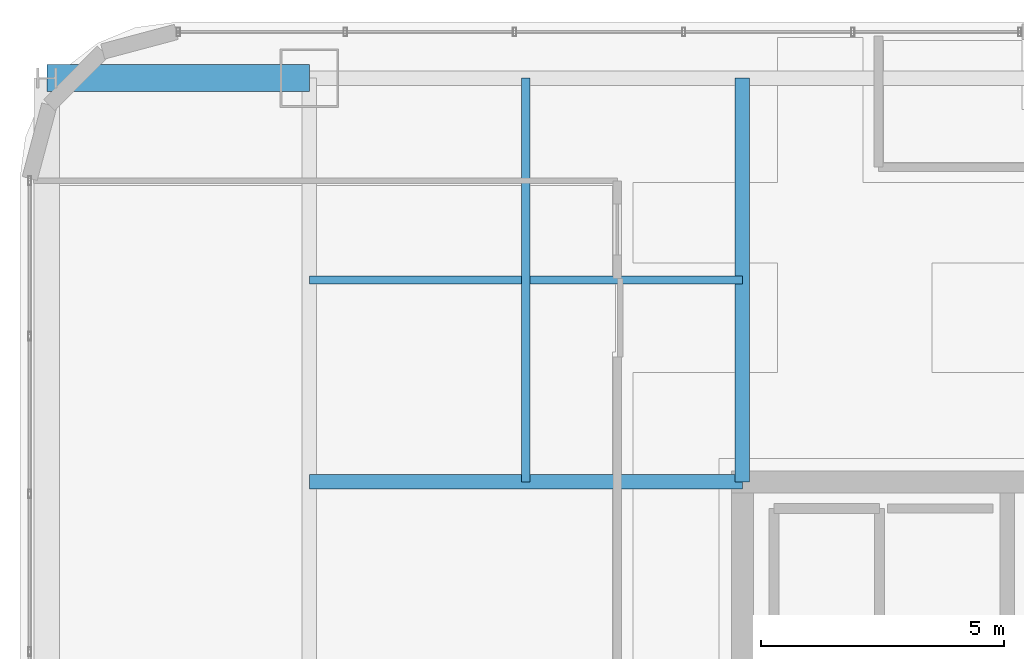
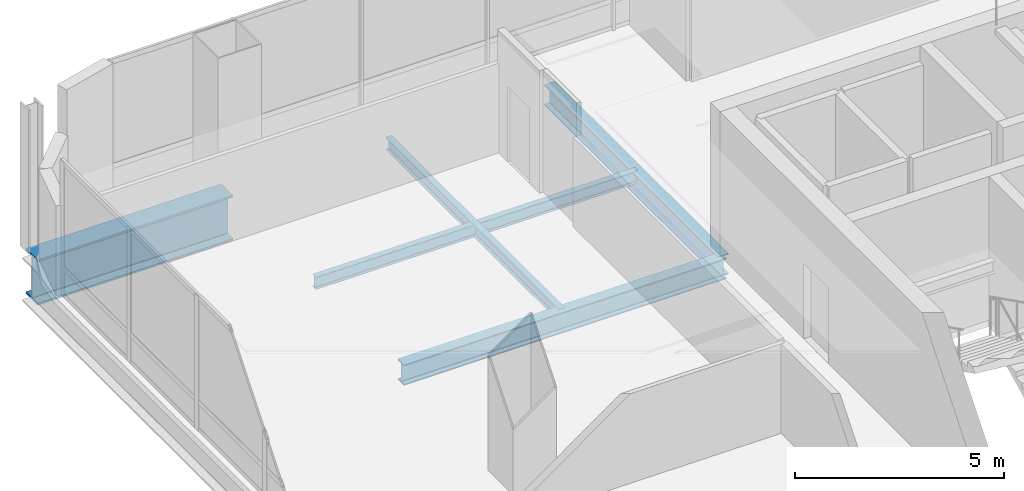
# One storey, part 25 of 46: 5 beams.
"""IFC4 building model written with IfcOpenShell, lengths in metres."""

from ifc_helpers import new_model, si_unit, direction, frame, origin, origin_2d, place, context, subcontext, project, spatial, i_section, extrude, material, material_profile, profile_set, type_object, element, save


model = new_model("IFC4")

# Units and contexts
model_context = context("Model", 3, precision=1e-05, world=origin(), true_north=direction((0.0, 1.0)))
body_context = subcontext(model_context, "Body", "Model", "MODEL_VIEW")
ifc_project = project(units=[si_unit("LENGTHUNIT", "METRE"), si_unit("AREAUNIT", "SQUARE_METRE"), si_unit("VOLUMEUNIT", "CUBIC_METRE"), si_unit("PLANEANGLEUNIT", "RADIAN"), si_unit("MASSUNIT", "GRAM", prefix="KILO")], contexts=[model_context])

# Site, building, storey
site_placement = place(None, origin())
site = spatial("IfcSite", under=ifc_project, at=site_placement, CompositionType="ELEMENT")
building_placement = place(site_placement, origin())
building = spatial("IfcBuilding", under=site, at=building_placement, Name="Punatoya Terracotta Tower", CompositionType="ELEMENT")
storey_placement = place(building_placement, frame((0.0, 0.0, 330.0)))
storey = spatial("IfcBuildingStorey", under=building, at=storey_placement, Name="L78", CompositionType="ELEMENT", Elevation=330.0)

# Beams
ifc_material_1 = material(Name="Steel S355", Category="steel")
ifc_material_profile_1 = material_profile(ifc_material_1, i_section(OverallWidth=0.300048828125, OverallDepth=0.60009765625, WebThickness=0.015380859375, FlangeThickness=0.030029296875, FilletRadius=0.01806640625, at=origin_2d()))
ifc_profile_set_1 = profile_set([ifc_material_profile_1], Name="Steel S355")
beam_type_1 = type_object("IfcBeamType", Name="BM-PRI-600", PredefinedType="BEAM", material=ifc_profile_set_1)
beam_1_placement = place(storey_placement, frame((-19.10009765625, 9.199951171875, -0.5), z_axis=(1.0, 0.0, 0.0), x_axis=(0.0, 1.0, 0.0)))
element("IfcBeam", 1, at=beam_1_placement, inside=storey, type_object=beam_type_1, Name="BM-L78-PR-WN", PredefinedType="BEAM", context=body_context, shape_type="SweptSolid", body=[
    extrude(i_section(OverallWidth=0.300048828125, OverallDepth=0.60009765625, WebThickness=0.015380859375, FlangeThickness=0.030029296875, FilletRadius=0.01806640625, at=origin_2d()), origin(), (0.0, 0.0, 1.0), 8.900146484375),
])
beam_2_placement = place(storey_placement, frame((-10.199951171875, 9.199951171875, -0.5), z_axis=(0.0, 1.0, 0.0), x_axis=(-1.0, 0.0, 0.0)))
element("IfcBeam", 2, at=beam_2_placement, inside=storey, type_object=beam_type_1, Name="BM-L78-PR-N1", PredefinedType="BEAM", context=body_context, shape_type="SweptSolid", body=[
    extrude(i_section(OverallWidth=0.300048828125, OverallDepth=0.60009765625, WebThickness=0.015380859375, FlangeThickness=0.030029296875, FilletRadius=0.01806640625, at=origin_2d()), origin(), (0.0, 0.0, 1.0), 8.300048828125),
])
ifc_material_profile_2 = material_profile(ifc_material_1, i_section(OverallWidth=0.169921875, OverallDepth=0.360107421875, WebThickness=0.008056640625, FlangeThickness=0.0126953125, FilletRadius=0.01806640625, at=origin_2d()))
ifc_profile_set_2 = profile_set([ifc_material_profile_2], Name="Steel S355")
beam_type_2 = type_object("IfcBeamType", Name="BM-SEC-360", PredefinedType="JOIST", material=ifc_profile_set_2)
beam_3_placement = place(storey_placement, frame((-19.10009765625, 13.35009765625, -0.3798828125), z_axis=(1.0, 0.0, 0.0), x_axis=(0.0, 1.0, 0.0)))
element("IfcBeam", 3, at=beam_3_placement, inside=storey, type_object=beam_type_2, Name="BM-L78-SJN-1", PredefinedType="JOIST", context=body_context, shape_type="SweptSolid", body=[
    extrude(i_section(OverallWidth=0.169921875, OverallDepth=0.360107421875, WebThickness=0.008056640625, FlangeThickness=0.0126953125, FilletRadius=0.01806640625, at=origin_2d()), origin(), (0.0, 0.0, 1.0), 8.900146484375),
])
beam_4_placement = place(storey_placement, frame((-14.64990234375, 9.199951171875, -0.3798828125), z_axis=(0.0, 1.0, 0.0), x_axis=(-1.0, 0.0, 0.0)))
element("IfcBeam", 4, at=beam_4_placement, inside=storey, type_object=beam_type_2, Name="BM-L78-SJW-2", PredefinedType="JOIST", context=body_context, shape_type="SweptSolid", body=[
    extrude(i_section(OverallWidth=0.169921875, OverallDepth=0.360107421875, WebThickness=0.008056640625, FlangeThickness=0.0126953125, FilletRadius=0.01806640625, at=origin_2d()), origin(), (0.0, 0.0, 1.0), 8.300048828125),
])
ifc_material_2 = material(Name="Steel S460", Category="steel")
ifc_material_profile_3 = material_profile(ifc_material_2, i_section(OverallWidth=0.56005859375, OverallDepth=1.320068359375, WebThickness=0.035888671875, FlangeThickness=0.054931640625, FilletRadius=0.01806640625, at=origin_2d()))
ifc_profile_set_3 = profile_set([ifc_material_profile_3], Name="Steel S460")
beam_type_3 = type_object("IfcBeamType", Name="BM-TG-BLK", PredefinedType="BEAM", material=ifc_profile_set_3)
beam_5_placement = place(storey_placement, frame((-24.5, 17.5, -0.860107421875), z_axis=(1.0, 0.0, 0.0), x_axis=(0.0, 1.0, 0.0)))
element("IfcBeam", 5, at=beam_5_placement, inside=storey, type_object=beam_type_3, Name="BM-L78-CANT-W4", PredefinedType="BEAM", context=body_context, shape_type="SweptSolid", body=[
    extrude(i_section(OverallWidth=0.56005859375, OverallDepth=1.320068359375, WebThickness=0.035888671875, FlangeThickness=0.054931640625, FilletRadius=0.01806640625, at=origin_2d()), origin(), (0.0, 0.0, 1.0), 5.39990234375),
])

save(model, "model.ifc")
